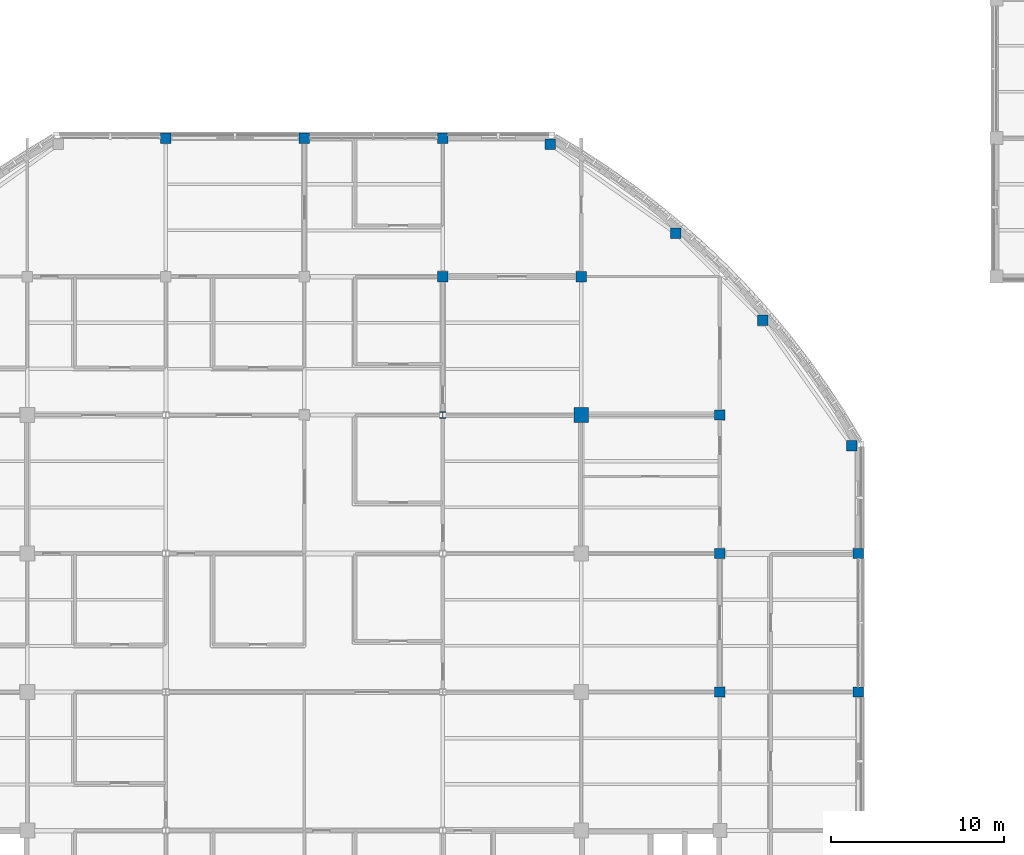
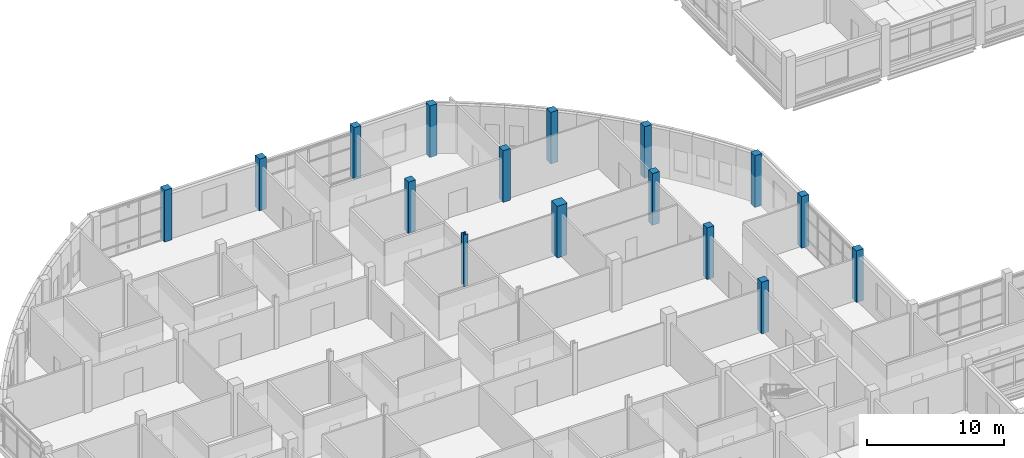
# One storey, part 7 of 121: 16 columns.
"""IFC4 building model written with IfcOpenShell, lengths in metres."""

from ifc_helpers import new_model, si_unit, derived_unit, direction, frame, origin, origin_2d, place, context, subcontext, project, spatial, rectangle, i_section, extrude, material, material_profile, profile_set, type_object, element, save


model = new_model("IFC4")

# Units and contexts
model_context = context("Model", 3, precision=1e-05, world=origin(), true_north=direction((0.0, 1.0)))
body_context = subcontext(model_context, "Body", "Model", "MODEL_VIEW")
ifc_project = project(units=[si_unit("LENGTHUNIT", "METRE"), si_unit("AREAUNIT", "SQUARE_METRE"), si_unit("VOLUMEUNIT", "CUBIC_METRE"), si_unit("PLANEANGLEUNIT", "RADIAN"), si_unit("MASSUNIT", "GRAM", prefix="KILO"), derived_unit("THERMALTRANSMITTANCEUNIT", [(si_unit("MASSUNIT", "GRAM", prefix="KILO"), 1), (si_unit("TIMEUNIT", "SECOND"), -3), (si_unit("THERMODYNAMICTEMPERATUREUNIT", "KELVIN"), -1)])], contexts=[model_context])

# Site, building, storey
site_placement = place(None, origin())
site = spatial("IfcSite", under=ifc_project, at=site_placement, CompositionType="ELEMENT")
building_placement = place(site_placement, origin())
building = spatial("IfcBuilding", under=site, at=building_placement, Name="Veyamyaing Civic Hall", CompositionType="ELEMENT")
storey_placement = place(building_placement, frame((0.0, 0.0, 5.280029296875)))
storey = spatial("IfcBuildingStorey", under=building, at=storey_placement, Name="L01", CompositionType="ELEMENT", Elevation=5.280029296875)

# Columns
ifc_material_1 = material(Name="Concrete C45/55", Category="concrete")
ifc_material_profile_1 = material_profile(ifc_material_1, rectangle(XDim=0.85009765625, YDim=0.85009765625, at=origin_2d()), Name="RC-COL-850X850")
ifc_profile_set_1 = profile_set([ifc_material_profile_1], Name="Concrete C45/55")
column_type_1 = type_object("IfcColumnType", Name="C-01", PredefinedType="COLUMN", material=ifc_profile_set_1)
column_1_placement = place(storey_placement, frame((104.0, 80.0, 0.0), z_axis=(0.0, 0.0, 1.0), x_axis=(1.0, 0.0, 0.0)))
element("IfcColumn", 1, at=column_1_placement, inside=storey, type_object=column_type_1, Name="Column C-01 14-L L01", PredefinedType="COLUMN", context=body_context, shape_type="SweptSolid", body=[
    extrude(rectangle(XDim=0.85009765625, YDim=0.85009765625, at=origin_2d()), origin(), (0.0, 0.0, 1.0), 4.619873046875),
])
ifc_material_profile_2 = material_profile(ifc_material_1, rectangle(XDim=0.60009765625, YDim=0.60009765625, at=origin_2d()), Name="RC-COL-600X600")
ifc_profile_set_2 = profile_set([ifc_material_profile_2], Name="Concrete C45/55")
column_type_2 = type_object("IfcColumnType", Name="C-06", PredefinedType="COLUMN", material=ifc_profile_set_2)
for number, where, z_axis, x_axis, name in (
    (2, (80.0, 96.0, 0.0), (0.0, 0.0, 1.0), (1.0, 0.0, 0.0), "Column C-06 11-N L01"),
    (3, (88.0, 96.0, 0.0), (0.0, 0.0, 1.0), (1.0, 0.0, 0.0), "Column C-06 12-N L01"),
    (4, (96.0, 88.0, 0.0), (0.0, 0.0, 1.0), (1.0, 0.0, 0.0), "Column C-06 13-M L01"),
    (5, (96.0, 96.0, 0.0), (0.0, 0.0, 1.0), (1.0, 0.0, 0.0), "Column C-06 13-N L01"),
    (6, (104.0, 88.0, 0.0), (0.0, 0.0, 1.0), (1.0, 0.0, 0.0), "Column C-06 14-M L01"),
    (7, (112.0, 64.0, 0.0), (0.0, 0.0, 1.0), (1.0, 0.0, 0.0), "Column C-06 15-J L01"),
    (8, (112.0, 72.0, 0.0), (0.0, 0.0, 1.0), (1.0, 0.0, 0.0), "Column C-06 15-K L01"),
    (9, (112.0, 80.0, 0.0), (0.0, 0.0, 1.0), (1.0, 0.0, 0.0), "Column C-06 15-L L01"),
    (10, (120.0, 64.0, 0.0), (0.0, 0.0, 1.0), (1.0, 0.0, 0.0), "Column C-06 16-J L01"),
    (11, (120.0, 72.0, 0.0), (0.0, 0.0, 1.0), (1.0, 0.0, 0.0), "Column C-06 16-K L01"),
    (12, (119.63623046875, 78.220703125, 0.0), (0.0, 0.0, 1.0), (1.0, 0.0, 0.0), "Curved corner column C-06 ARC-NE-00 L01"),
    (13, (114.4951171875, 85.466552734375, 0.0), (0.0, 0.0, 1.0), (1.0, 0.0, 0.0), "Curved corner column C-06 ARC-NE-05 L01"),
    (14, (109.466552734375, 90.4951171875, 0.0), (0.0, 0.0, 1.0), (1.0, 0.0, 0.0), "Curved corner column C-06 ARC-NE-09 L01"),
    (15, (102.220703125, 95.63623046875, 0.0), (0.0, 0.0, 1.0), (1.0, 0.0, 0.0), "Curved corner column C-06 ARC-NE-14 L01"),
):
    element("IfcColumn", number, at=place(storey_placement, frame(where, z_axis=z_axis, x_axis=x_axis)), inside=storey, type_object=column_type_2, Name=name, PredefinedType="COLUMN", context=body_context, shape_type="SweptSolid", body=[
        extrude(rectangle(XDim=0.60009765625, YDim=0.60009765625, at=origin_2d()), origin(), (0.0, 0.0, 1.0), 4.619873046875),
    ])
ifc_material_2 = material(Name="Steel S355J2", Category="steel")
ifc_material_profile_3 = material_profile(ifc_material_2, i_section(OverallWidth=0.3740234375, OverallDepth=0.3720703125, WebThickness=0.016357421875, FlangeThickness=0.026123046875, FilletRadius=0.014892578125, at=origin_2d()), Name="W360X196")
ifc_profile_set_3 = profile_set([ifc_material_profile_3], Name="Steel S355J2")
column_type_3 = type_object("IfcColumnType", Name="C-09", PredefinedType="COLUMN", material=ifc_profile_set_3)
column_2_placement = place(storey_placement, frame((96.0, 80.0, 0.0), z_axis=(0.0, 0.0, 1.0), x_axis=(1.0, 0.0, 0.0)))
element("IfcColumn", 16, at=column_2_placement, inside=storey, type_object=column_type_3, Name="Column C-09 13-L L01", PredefinedType="COLUMN", context=body_context, shape_type="SweptSolid", body=[
    extrude(i_section(OverallWidth=0.3740234375, OverallDepth=0.3720703125, WebThickness=0.016357421875, FlangeThickness=0.026123046875, FilletRadius=0.014892578125, at=origin_2d()), origin(), (0.0, 0.0, 1.0), 4.619873046875),
])

save(model, "model.ifc")
